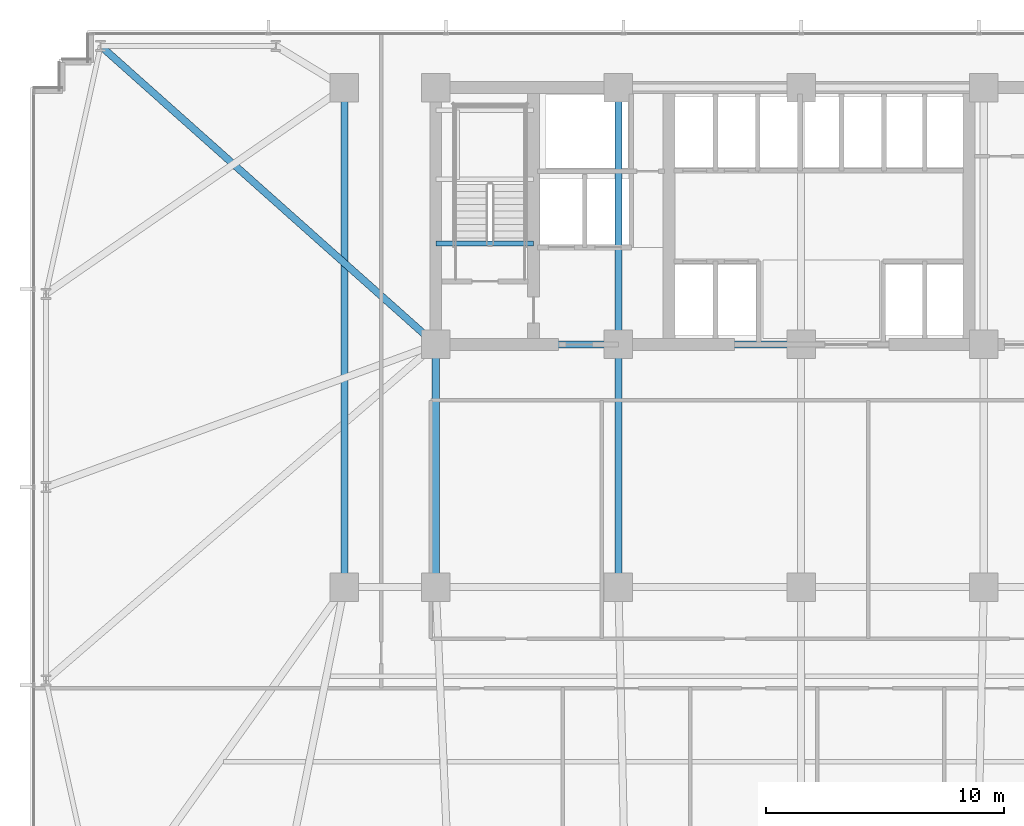
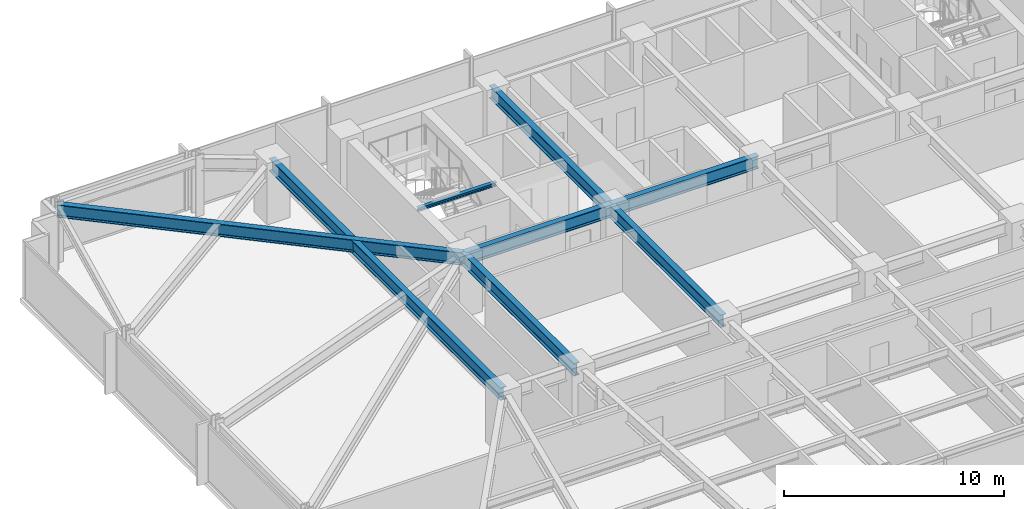
# One storey, part 10 of 33: 8 beams.
"""IFC4 building model written with IfcOpenShell, lengths in metres."""

from ifc_helpers import new_model, si_unit, direction, frame, origin, origin_2d, place, context, subcontext, project, spatial, i_section, extrude, material, material_profile, profile_set, type_object, element, save


model = new_model("IFC4")

# Units and contexts
model_context = context("Model", 3, precision=1e-05, world=origin(), true_north=direction((0.0, 1.0)))
body_context = subcontext(model_context, "Body", "Model", "MODEL_VIEW")
ifc_project = project(units=[si_unit("LENGTHUNIT", "METRE"), si_unit("AREAUNIT", "SQUARE_METRE"), si_unit("VOLUMEUNIT", "CUBIC_METRE"), si_unit("PLANEANGLEUNIT", "RADIAN"), si_unit("MASSUNIT", "GRAM", prefix="KILO")], contexts=[model_context])

# Site, building, storey
site_placement = place(None, origin())
site = spatial("IfcSite", under=ifc_project, at=site_placement, CompositionType="ELEMENT")
building_placement = place(site_placement, origin())
building = spatial("IfcBuilding", under=site, at=building_placement, Name="Yelkora Congress Tower", CompositionType="ELEMENT")
storey_placement = place(building_placement, frame((0.0, 0.0, 37.199951171875)))
storey = spatial("IfcBuildingStorey", under=building, at=storey_placement, Name="L08", CompositionType="ELEMENT", Elevation=37.199951171875)

# Beams
ifc_material = material(Name="Steel S355J2", Category="steel")
ifc_material_profile_1 = material_profile(ifc_material, i_section(OverallWidth=0.300048828125, OverallDepth=0.699951171875, WebThickness=0.01708984375, FlangeThickness=0.031982421875, FilletRadius=0.027099609375, at=origin_2d()), Name="HEB 700")
ifc_profile_set_1 = profile_set([ifc_material_profile_1], Name="Steel S355J2")
beam_type_1 = type_object("IfcBeamType", Name="BM-GIRD-HEB700", PredefinedType="BEAM", material=ifc_profile_set_1)
for number, where, z_axis, x_axis, name in (
    (1, (23.0400390625, 35.39990234375, 2.830078125), (1.0, 0.0, 0.0), (0.0, 1.0, 0.0), "L08 Core South Girder 1"),
    (2, (30.719970703125, 35.39990234375, 2.830078125), (1.0, 0.0, 0.0), (0.0, 1.0, 0.0), "L08 Core South Girder 2"),
):
    element("IfcBeam", number, at=place(storey_placement, frame(where, z_axis=z_axis, x_axis=x_axis)), inside=storey, type_object=beam_type_1, Name=name, PredefinedType="BEAM", context=body_context, shape_type="SweptSolid", body=[
        extrude(i_section(OverallWidth=0.300048828125, OverallDepth=0.699951171875, WebThickness=0.01708984375, FlangeThickness=0.031982421875, FilletRadius=0.027099609375, at=origin_2d()), origin(), (0.0, 0.0, 1.0), 7.679931640625),
    ])
for number, where, z_axis, x_axis, name in (
    (3, (23.0400390625, 25.199951171875, 2.830078125), (0.0, 1.0, 0.0), (-1.0, 0.0, 0.0), "L08 Core Tie Girder MC-D1"),
    (4, (30.719970703125, 25.199951171875, 2.830078125), (0.0, 1.0, 0.0), (-1.0, 0.0, 0.0), "L08 Core Tie Girder MC-D2"),
):
    element("IfcBeam", number, at=place(storey_placement, frame(where, z_axis=z_axis, x_axis=x_axis)), inside=storey, type_object=beam_type_1, Name=name, PredefinedType="BEAM", context=body_context, shape_type="SweptSolid", body=[
        extrude(i_section(OverallWidth=0.300048828125, OverallDepth=0.699951171875, WebThickness=0.01708984375, FlangeThickness=0.031982421875, FilletRadius=0.027099609375, at=origin_2d()), origin(), (0.0, 0.0, 1.0), 10.199951171875),
    ])
beam_1_placement = place(storey_placement, frame((30.719970703125, 35.39990234375, 2.830078125), z_axis=(0.0, 1.0, 0.0), x_axis=(-1.0, 0.0, 0.0)))
element("IfcBeam", 5, at=beam_1_placement, inside=storey, type_object=beam_type_1, Name="L08 Core Tie Girder MC-S2", PredefinedType="BEAM", context=body_context, shape_type="SweptSolid", body=[
    extrude(i_section(OverallWidth=0.300048828125, OverallDepth=0.699951171875, WebThickness=0.01708984375, FlangeThickness=0.031982421875, FilletRadius=0.027099609375, at=origin_2d()), origin(), (0.0, 0.0, 1.0), 10.800048828125),
])
beam_2_placement = place(storey_placement, frame((19.199951171875, 25.199951171875, 2.830078125), z_axis=(0.0, 1.0, 0.0), x_axis=(-1.0, 0.0, 0.0)))
element("IfcBeam", 6, at=beam_2_placement, inside=storey, type_object=beam_type_1, Name="L08 Neck Flank Girder MC-F1", PredefinedType="BEAM", context=body_context, shape_type="SweptSolid", body=[
    extrude(i_section(OverallWidth=0.300048828125, OverallDepth=0.699951171875, WebThickness=0.01708984375, FlangeThickness=0.031982421875, FilletRadius=0.027099609375, at=origin_2d()), origin(), (0.0, 0.0, 1.0), 21.0),
])
beam_3_placement = place(storey_placement, frame((8.949951171875, 47.949951171875, 2.830078125), z_axis=(0.746737189621, -0.665119214605, 0.0), x_axis=(0.665119214605, 0.746737189621, 0.0)))
element("IfcBeam", 7, at=beam_3_placement, inside=storey, type_object=beam_type_1, Name="L08 Primary Frame Girder N01", PredefinedType="BEAM", context=body_context, shape_type="SweptSolid", body=[
    extrude(i_section(OverallWidth=0.300048828125, OverallDepth=0.699951171875, WebThickness=0.01708984375, FlangeThickness=0.031982421875, FilletRadius=0.027099609375, at=origin_2d()), origin(), (0.0, 0.0, 1.0), 18.868896484375),
])
ifc_material_profile_2 = material_profile(ifc_material, i_section(OverallWidth=0.199951171875, OverallDepth=0.18994140625, WebThickness=0.006591796875, FlangeThickness=0.010009765625, FilletRadius=0.01806640625, at=origin_2d()), Name="HEA 200")
ifc_profile_set_2 = profile_set([ifc_material_profile_2], Name="Steel S355J2")
beam_type_2 = type_object("IfcBeamType", Name="BM-LAND-HEA200", PredefinedType="BEAM", material=ifc_profile_set_2)
beam_4_placement = place(storey_placement, frame((23.0400390625, 39.639892578125, 2.947509765625), z_axis=(1.0, 0.0, 0.0), x_axis=(0.0, 1.0, 0.0)))
element("IfcBeam", 8, at=beam_4_placement, inside=storey, type_object=beam_type_2, Name="ST-01 L08 Floor Arrival Stringer Header Beam", PredefinedType="BEAM", context=body_context, shape_type="SweptSolid", body=[
    extrude(i_section(OverallWidth=0.199951171875, OverallDepth=0.18994140625, WebThickness=0.006591796875, FlangeThickness=0.010009765625, FilletRadius=0.01806640625, at=origin_2d()), origin(), (0.0, 0.0, 1.0), 4.10986328125),
])

save(model, "model.ifc")
